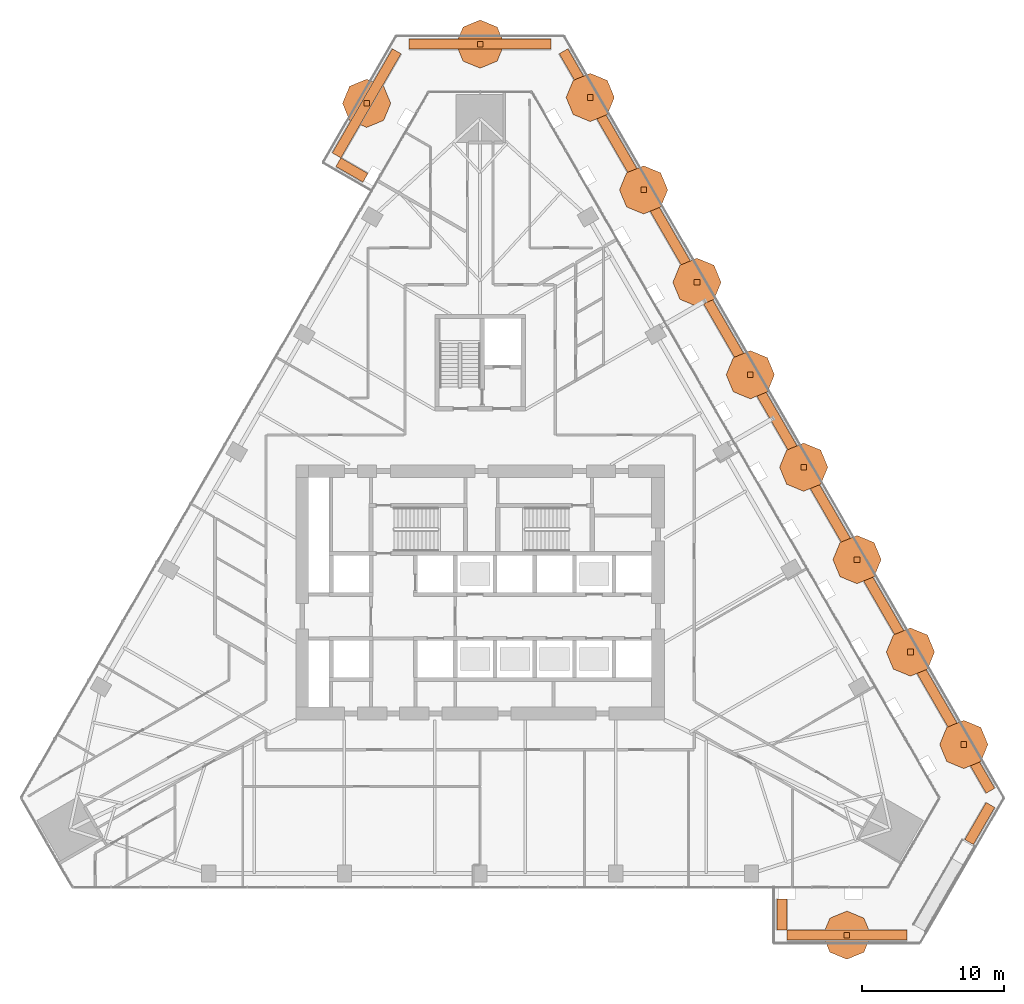
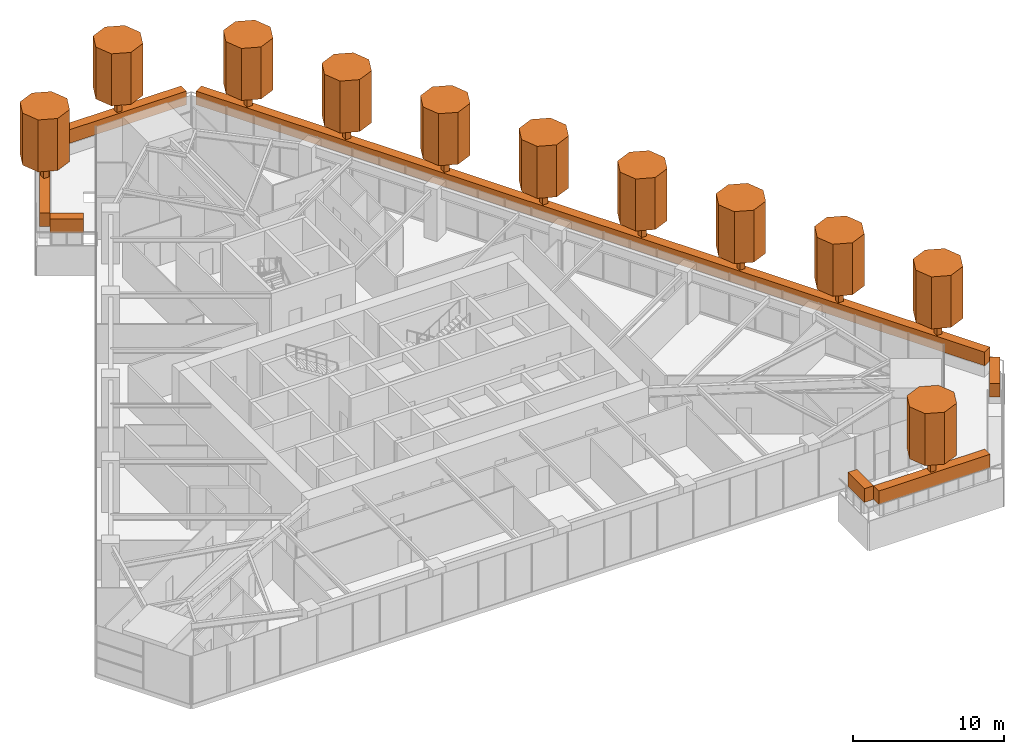
# One storey, part 26 of 26: 29 geographic elements.
"""IFC4 building model written with IfcOpenShell, lengths in metres."""

from ifc_helpers import new_model, si_unit, direction, frame, origin, origin_2d, place, context, subcontext, project, spatial, polyline, rectangle, outline, extrude, material, type_object, element, save


model = new_model("IFC4")

# Units and contexts
model_context = context("Model", 3, precision=1e-05, world=origin(), true_north=direction((0.0, 1.0)))
body_context = subcontext(model_context, "Body", "Model", "MODEL_VIEW")
ifc_project = project(units=[si_unit("LENGTHUNIT", "METRE"), si_unit("AREAUNIT", "SQUARE_METRE"), si_unit("VOLUMEUNIT", "CUBIC_METRE"), si_unit("PLANEANGLEUNIT", "RADIAN"), si_unit("MASSUNIT", "GRAM", prefix="KILO")], contexts=[model_context])

# Site, building, storey
site_placement = place(None, origin())
site = spatial("IfcSite", under=ifc_project, at=site_placement, CompositionType="ELEMENT")
building_placement = place(site_placement, origin())
building = spatial("IfcBuilding", under=site, at=building_placement, Name="Firuza Gate Tower and Library", CompositionType="ELEMENT")
storey_placement = place(building_placement, frame((0.0, 0.0, 52.60009765625)))
storey = spatial("IfcBuildingStorey", under=building, at=storey_placement, Name="L11", CompositionType="ELEMENT", Elevation=52.60009765625)

# Geographic elements
ifc_material_1 = material(Name="Foliage")
geographic_element_type_1 = type_object("IfcGeographicElementType", Name="Planted hedge", PredefinedType="USERDEFINED", material=ifc_material_1)
geographic_element_1_placement = place(storey_placement, frame((96.27783203125, 52.272216796875, 0.89990234375), z_axis=(0.0, 0.0, 1.0), x_axis=(0.0, -1.0, 0.0)))
element("IfcGeographicElement", 1, at=geographic_element_1_placement, inside=storey, type_object=geographic_element_type_1, Name="Planted hedge", ObjectType="HEDGE", PredefinedType="USERDEFINED", context=body_context, shape_type="SweptSolid", body=[
    extrude(rectangle(XDim=2.199951171875, YDim=0.699951171875, at=origin_2d()), origin(), (0.0, 0.0, 1.0), 1.10009765625),
])
placement_1 = place(storey_placement, frame((100.869384765625, 50.822265625, 0.89990234375), z_axis=(0.0, 0.0, 1.0), x_axis=(1.0, 0.0, 0.0)))
element("IfcGeographicElement", 2, at=placement_1, inside=storey, type_object=geographic_element_type_1, Name="Planted hedge", ObjectType="HEDGE", PredefinedType="USERDEFINED", context=body_context, shape_type="SweptSolid", body=[
    extrude(rectangle(XDim=8.483154296875, YDim=0.699951171875, at=origin_2d()), origin(), (0.0, 0.0, 1.0), 1.10009765625),
])
geographic_element_3_placement = place(storey_placement, frame((110.239501953125, 58.696044921875, 0.89990234375), z_axis=(0.0, 0.0, 1.0), x_axis=(0.5, 0.866025403784, 0.0)))
element("IfcGeographicElement", 3, at=geographic_element_3_placement, inside=storey, type_object=geographic_element_type_1, Name="Planted hedge", ObjectType="HEDGE", PredefinedType="USERDEFINED", context=body_context, shape_type="SweptSolid", body=[
    extrude(rectangle(XDim=3.018798828125, YDim=0.699951171875, at=origin_2d()), origin(), (0.0, 0.0, 1.0), 1.10009765625),
])
geographic_element_4_placement = place(storey_placement, frame((95.938720703125, 87.0888671875, 0.89990234375), z_axis=(0.0, 0.0, 1.0), x_axis=(-0.5, 0.866025403784, 0.0)))
element("IfcGeographicElement", 4, at=geographic_element_4_placement, inside=storey, type_object=geographic_element_type_1, Name="Planted hedge", ObjectType="HEDGE", PredefinedType="USERDEFINED", context=body_context, shape_type="SweptSolid", body=[
    extrude(rectangle(XDim=60.22216796875, YDim=0.699951171875, at=origin_2d()), origin(), (0.0, 0.0, 1.0), 1.10009765625),
])
geographic_element_5_placement = place(storey_placement, frame((75.0, 113.67041015625, 0.89990234375), z_axis=(0.0, 0.0, 1.0), x_axis=(-1.0, 0.0, 0.0)))
element("IfcGeographicElement", 5, at=geographic_element_5_placement, inside=storey, type_object=geographic_element_type_1, Name="Planted hedge", ObjectType="HEDGE", PredefinedType="USERDEFINED", context=body_context, shape_type="SweptSolid", body=[
    extrude(rectangle(XDim=10.018798828125, YDim=0.699951171875, at=origin_2d()), origin(), (0.0, 0.0, 1.0), 1.10009765625),
])
geographic_element_6_placement = place(storey_placement, frame((66.99609375, 109.492431640625, 0.89990234375), z_axis=(0.0, 0.0, 1.0), x_axis=(-0.5, -0.866025403784, 0.0)))
element("IfcGeographicElement", 6, at=geographic_element_6_placement, inside=storey, type_object=geographic_element_type_1, Name="Planted hedge", ObjectType="HEDGE", PredefinedType="USERDEFINED", context=body_context, shape_type="SweptSolid", body=[
    extrude(rectangle(XDim=8.483154296875, YDim=0.699951171875, at=origin_2d()), origin(), (0.0, 0.0, 1.0), 1.10009765625),
])
geographic_element_7_placement = place(storey_placement, frame((65.9560546875, 104.791015625, 0.89990234375), z_axis=(0.0, 0.0, 1.0), x_axis=(0.866025403784, -0.5, 0.0)))
element("IfcGeographicElement", 7, at=geographic_element_7_placement, inside=storey, type_object=geographic_element_type_1, Name="Planted hedge", ObjectType="HEDGE", PredefinedType="USERDEFINED", context=body_context, shape_type="SweptSolid", body=[
    extrude(rectangle(XDim=2.199951171875, YDim=0.699951171875, at=origin_2d()), origin(), (0.0, 0.0, 1.0), 1.10009765625),
])
ifc_material_2 = material(Name="Foliage")
geographic_element_type_2 = type_object("IfcGeographicElementType", Name="Planted tree canopy", PredefinedType="USERDEFINED", material=ifc_material_2)
placement_2 = place(storey_placement, frame((0.0, 0.0, 3.5)))
element("IfcGeographicElement", 8, at=placement_2, inside=storey, type_object=geographic_element_type_2, Name="Tree canopy", ObjectType="TREE CANOPY", PredefinedType="USERDEFINED", context=body_context, shape_type="SweptSolid", body=[
    extrude(outline(polyline([(102.569580078125, 50.822265625), (102.071533203125, 52.024169921875), (100.869384765625, 52.522216796875), (99.66748046875, 52.024169921875), (99.16943359375, 50.822265625), (99.66748046875, 49.6201171875), (100.869384765625, 49.1220703125), (102.071533203125, 49.6201171875), (102.569580078125, 50.822265625)])), origin(), (0.0, 0.0, 1.0), 4.199951171875),
])
element("IfcGeographicElement", 9, at=placement_2, inside=storey, type_object=geographic_element_type_2, Name="Tree canopy", ObjectType="TREE CANOPY", PredefinedType="USERDEFINED", context=body_context, shape_type="SweptSolid", body=[
    extrude(outline(polyline([(110.812255859375, 64.271484375), (110.314208984375, 65.4736328125), (109.1123046875, 65.9716796875), (107.91015625, 65.4736328125), (107.412109375, 64.271484375), (107.91015625, 63.069580078125), (109.1123046875, 62.571533203125), (110.314208984375, 63.069580078125), (110.812255859375, 64.271484375)])), origin(), (0.0, 0.0, 1.0), 4.199951171875),
])
element("IfcGeographicElement", 10, at=placement_2, inside=storey, type_object=geographic_element_type_2, Name="Tree canopy", ObjectType="TREE CANOPY", PredefinedType="USERDEFINED", context=body_context, shape_type="SweptSolid", body=[
    extrude(outline(polyline([(107.04833984375, 70.790771484375), (106.550537109375, 71.992919921875), (105.348388671875, 72.49072265625), (104.146240234375, 71.992919921875), (103.6484375, 70.790771484375), (104.146240234375, 69.588623046875), (105.348388671875, 69.0908203125), (106.550537109375, 69.588623046875), (107.04833984375, 70.790771484375)])), origin(), (0.0, 0.0, 1.0), 4.199951171875),
])
element("IfcGeographicElement", 11, at=placement_2, inside=storey, type_object=geographic_element_type_2, Name="Tree canopy", ObjectType="TREE CANOPY", PredefinedType="USERDEFINED", context=body_context, shape_type="SweptSolid", body=[
    extrude(outline(polyline([(103.284423828125, 77.31005859375), (102.78662109375, 78.51220703125), (101.58447265625, 79.010009765625), (100.38232421875, 78.51220703125), (99.884521484375, 77.31005859375), (100.38232421875, 76.10791015625), (101.58447265625, 75.610107421875), (102.78662109375, 76.10791015625), (103.284423828125, 77.31005859375)])), origin(), (0.0, 0.0, 1.0), 4.199951171875),
])
element("IfcGeographicElement", 12, at=placement_2, inside=storey, type_object=geographic_element_type_2, Name="Tree canopy", ObjectType="TREE CANOPY", PredefinedType="USERDEFINED", context=body_context, shape_type="SweptSolid", body=[
    extrude(outline(polyline([(99.5205078125, 83.829345703125), (99.022705078125, 85.031494140625), (97.820556640625, 85.529296875), (96.618408203125, 85.031494140625), (96.12060546875, 83.829345703125), (96.618408203125, 82.627197265625), (97.820556640625, 82.12939453125), (99.022705078125, 82.627197265625), (99.5205078125, 83.829345703125)])), origin(), (0.0, 0.0, 1.0), 4.199951171875),
])
element("IfcGeographicElement", 13, at=placement_2, inside=storey, type_object=geographic_element_type_2, Name="Tree canopy", ObjectType="TREE CANOPY", PredefinedType="USERDEFINED", context=body_context, shape_type="SweptSolid", body=[
    extrude(outline(polyline([(95.756591796875, 90.3486328125), (95.2587890625, 91.550537109375), (94.056640625, 92.048583984375), (92.8544921875, 91.550537109375), (92.356689453125, 90.3486328125), (92.8544921875, 89.146484375), (94.056640625, 88.6484375), (95.2587890625, 89.146484375), (95.756591796875, 90.3486328125)])), origin(), (0.0, 0.0, 1.0), 4.199951171875),
])
element("IfcGeographicElement", 14, at=placement_2, inside=storey, type_object=geographic_element_type_2, Name="Tree canopy", ObjectType="TREE CANOPY", PredefinedType="USERDEFINED", context=body_context, shape_type="SweptSolid", body=[
    extrude(outline(polyline([(91.992919921875, 96.86767578125), (91.494873046875, 98.06982421875), (90.292724609375, 98.56787109375), (89.0908203125, 98.06982421875), (88.5927734375, 96.86767578125), (89.0908203125, 95.665771484375), (90.292724609375, 95.167724609375), (91.494873046875, 95.665771484375), (91.992919921875, 96.86767578125)])), origin(), (0.0, 0.0, 1.0), 4.199951171875),
])
element("IfcGeographicElement", 15, at=placement_2, inside=storey, type_object=geographic_element_type_2, Name="Tree canopy", ObjectType="TREE CANOPY", PredefinedType="USERDEFINED", context=body_context, shape_type="SweptSolid", body=[
    extrude(outline(polyline([(88.22900390625, 103.386962890625), (87.73095703125, 104.589111328125), (86.52880859375, 105.0869140625), (85.326904296875, 104.589111328125), (84.828857421875, 103.386962890625), (85.326904296875, 102.18505859375), (86.52880859375, 101.68701171875), (87.73095703125, 102.18505859375), (88.22900390625, 103.386962890625)])), origin(), (0.0, 0.0, 1.0), 4.199951171875),
])
element("IfcGeographicElement", 16, at=placement_2, inside=storey, type_object=geographic_element_type_2, Name="Tree canopy", ObjectType="TREE CANOPY", PredefinedType="USERDEFINED", context=body_context, shape_type="SweptSolid", body=[
    extrude(outline(polyline([(84.465087890625, 109.90625), (83.967041015625, 111.1083984375), (82.76513671875, 111.606201171875), (81.56298828125, 111.1083984375), (81.06494140625, 109.90625), (81.56298828125, 108.7041015625), (82.76513671875, 108.206298828125), (83.967041015625, 108.7041015625), (84.465087890625, 109.90625)])), origin(), (0.0, 0.0, 1.0), 4.199951171875),
])
element("IfcGeographicElement", 17, at=placement_2, inside=storey, type_object=geographic_element_type_2, Name="Tree canopy", ObjectType="TREE CANOPY", PredefinedType="USERDEFINED", context=body_context, shape_type="SweptSolid", body=[
    extrude(outline(polyline([(76.699951171875, 113.67041015625), (76.2021484375, 114.872314453125), (75.0, 115.370361328125), (73.7978515625, 114.872314453125), (73.300048828125, 113.67041015625), (73.7978515625, 112.46826171875), (75.0, 111.97021484375), (76.2021484375, 112.46826171875), (76.699951171875, 113.67041015625)])), origin(), (0.0, 0.0, 1.0), 4.199951171875),
])
element("IfcGeographicElement", 18, at=placement_2, inside=storey, type_object=geographic_element_type_2, Name="Tree canopy", ObjectType="TREE CANOPY", PredefinedType="USERDEFINED", context=body_context, shape_type="SweptSolid", body=[
    extrude(outline(polyline([(68.696044921875, 109.492431640625), (68.1982421875, 110.694580078125), (66.99609375, 111.192626953125), (65.7939453125, 110.694580078125), (65.296142578125, 109.492431640625), (65.7939453125, 108.29052734375), (66.99609375, 107.79248046875), (68.1982421875, 108.29052734375), (68.696044921875, 109.492431640625)])), origin(), (0.0, 0.0, 1.0), 4.199951171875),
])
ifc_material_3 = material(Name="Timber", Category="wood")
geographic_element_type_3 = type_object("IfcGeographicElementType", Name="Planted tree trunk", PredefinedType="USERDEFINED", material=ifc_material_3)
element("IfcGeographicElement", 19, at=placement_1, inside=storey, type_object=geographic_element_type_3, Name="Tree trunk", ObjectType="TREE TRUNK", PredefinedType="USERDEFINED", context=body_context, shape_type="SweptSolid", body=[
    extrude(rectangle(XDim=0.39990234375, YDim=0.39990234375, at=origin_2d()), origin(), (0.0, 0.0, 1.0), 2.60009765625),
])
for number, where, z_axis, x_axis, name in (
    (20, (109.1123046875, 64.271484375, 0.89990234375), (0.0, 0.0, 1.0), (1.0, 0.0, 0.0), "Tree trunk"),
    (21, (105.348388671875, 70.790771484375, 0.89990234375), (0.0, 0.0, 1.0), (1.0, 0.0, 0.0), "Tree trunk"),
    (22, (101.58447265625, 77.31005859375, 0.89990234375), (0.0, 0.0, 1.0), (1.0, 0.0, 0.0), "Tree trunk"),
    (23, (97.820556640625, 83.829345703125, 0.89990234375), (0.0, 0.0, 1.0), (1.0, 0.0, 0.0), "Tree trunk"),
    (24, (94.056640625, 90.3486328125, 0.89990234375), (0.0, 0.0, 1.0), (1.0, 0.0, 0.0), "Tree trunk"),
    (25, (90.292724609375, 96.86767578125, 0.89990234375), (0.0, 0.0, 1.0), (1.0, 0.0, 0.0), "Tree trunk"),
    (26, (86.52880859375, 103.386962890625, 0.89990234375), (0.0, 0.0, 1.0), (1.0, 0.0, 0.0), "Tree trunk"),
    (27, (82.76513671875, 109.90625, 0.89990234375), (0.0, 0.0, 1.0), (1.0, 0.0, 0.0), "Tree trunk"),
    (28, (75.0, 113.67041015625, 0.89990234375), (0.0, 0.0, 1.0), (1.0, 0.0, 0.0), "Tree trunk"),
    (29, (66.99609375, 109.492431640625, 0.89990234375), (0.0, 0.0, 1.0), (1.0, 0.0, 0.0), "Tree trunk"),
):
    element("IfcGeographicElement", number, at=place(storey_placement, frame(where, z_axis=z_axis, x_axis=x_axis)), inside=storey, type_object=geographic_element_type_3, Name=name, ObjectType="TREE TRUNK", PredefinedType="USERDEFINED", context=body_context, shape_type="SweptSolid", body=[
        extrude(rectangle(XDim=0.39990234375, YDim=0.39990234375, at=origin_2d()), origin(), (0.0, 0.0, 1.0), 2.60009765625),
    ])

save(model, "model.ifc")
